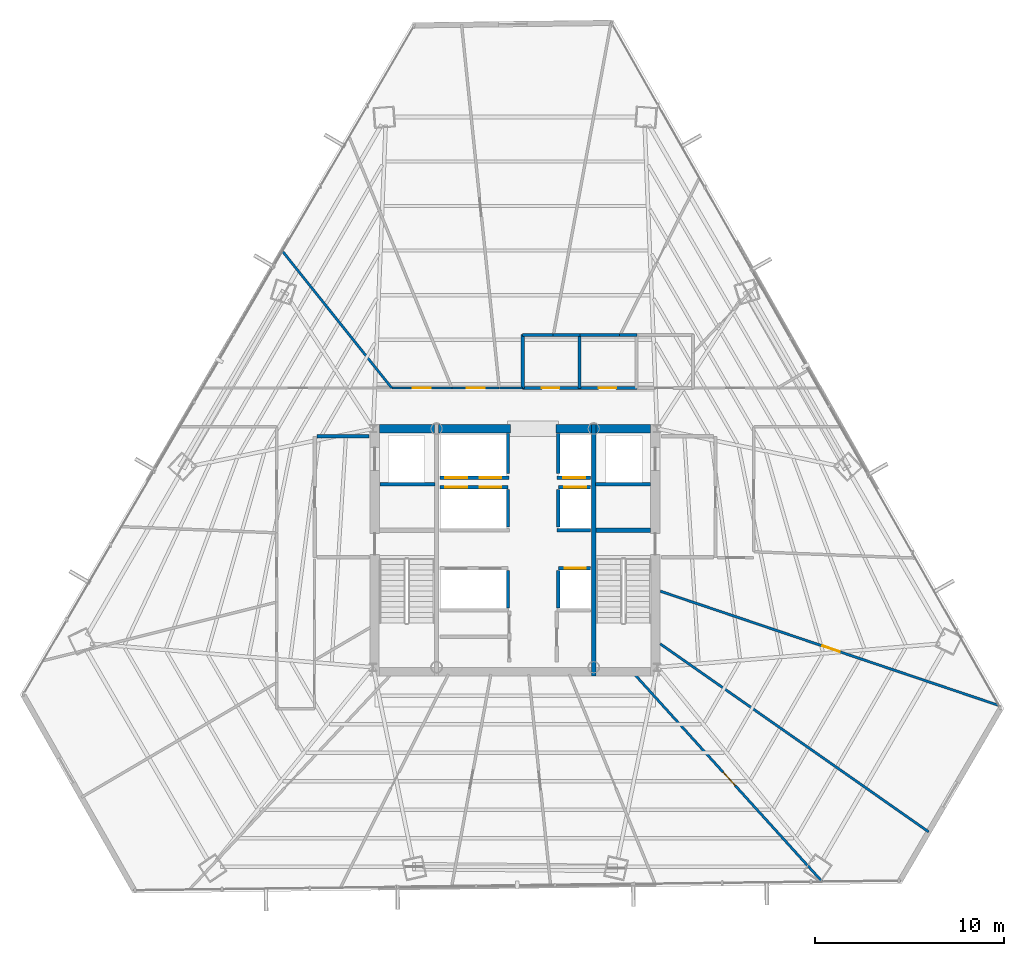
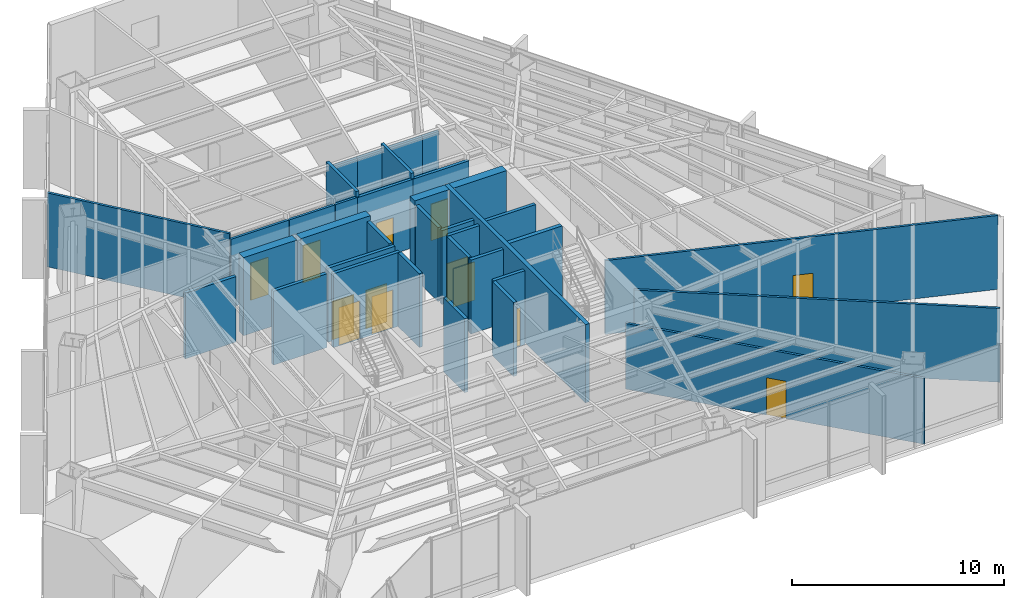
# One storey, part 32 of 37: 36 walls, 13 doors, 13 openings.
"""IFC4 building model written with IfcOpenShell, lengths in metres."""

from ifc_helpers import new_model, si_unit, direction, frame, frame_2d, origin, place, context, subcontext, project, spatial, rectangle, extrude, material, layer, layer_set, type_object, element, fill, save


model = new_model("IFC4")

# Units and contexts
model_context = context("Model", 3, precision=1e-05, world=origin(), true_north=direction((0.0, 1.0)))
body_context = subcontext(model_context, "Body", "Model", "MODEL_VIEW")
ifc_project = project(units=[si_unit("LENGTHUNIT", "METRE"), si_unit("AREAUNIT", "SQUARE_METRE"), si_unit("VOLUMEUNIT", "CUBIC_METRE"), si_unit("PLANEANGLEUNIT", "RADIAN"), si_unit("MASSUNIT", "GRAM", prefix="KILO")], contexts=[model_context])

# Site, building, storey
site_placement = place(None, origin())
site = spatial("IfcSite", under=ifc_project, at=site_placement, CompositionType="ELEMENT")
building_placement = place(site_placement, origin())
building = spatial("IfcBuilding", under=site, at=building_placement, Name="Caelisora Broadcast Tower", CompositionType="ELEMENT")
storey_placement = place(building_placement, frame((0.0, 0.0, 127.300048828125)))
storey = spatial("IfcBuildingStorey", under=building, at=storey_placement, Name="L33", CompositionType="ELEMENT", Elevation=127.300048828125)

# Walls
ifc_material_1 = material(Name="Concrete 50 MPa (AS 3600 S50)", Category="concrete")
ifc_layer_1 = layer(ifc_material_1, 0.449951171875, Name="Concrete 50 MPa (AS 3600 S50)")
ifc_layer_set_1 = layer_set([ifc_layer_1], Name="Concrete 50 MPa (AS 3600 S50)")
wall_type_1 = type_object("IfcWallType", Name="CW5", PredefinedType="SHEAR", material=ifc_layer_set_1)
wall_1_placement = place(storey_placement, frame((30.840087890625, 30.0, 0.0), z_axis=(0.0, 0.0, 1.0), x_axis=(1.0, 0.0, 0.0)))
element("IfcWall", 1, at=wall_1_placement, inside=storey, type_object=wall_type_1, Name="L33 core shear wall CW5", PredefinedType="SHEAR", context=body_context, shape_type="SweptSolid", body=[
    extrude(rectangle(XDim=2.89990234375, YDim=0.449951171875, at=frame_2d((1.449951171875, 0.0))), origin(), (0.0, 0.0, 1.0), 4.5),
])
wall_2_placement = place(storey_placement, frame((33.9599609375, 30.0, 0.0), z_axis=(0.0, 0.0, 1.0), x_axis=(1.0, 0.0, 0.0)))
element("IfcWall", 2, at=wall_2_placement, inside=storey, type_object=wall_type_1, Name="L33 core shear wall CW5", PredefinedType="SHEAR", context=body_context, shape_type="SweptSolid", body=[
    extrude(rectangle(XDim=3.780029296875, YDim=0.449951171875, at=frame_2d((1.89013671875, 0.0))), origin(), (0.0, 0.0, 1.0), 4.5),
])
wall_3_placement = place(storey_placement, frame((40.159912109375, 30.0, 0.0), z_axis=(0.0, 0.0, 1.0), x_axis=(1.0, 0.0, 0.0)))
element("IfcWall", 3, at=wall_3_placement, inside=storey, type_object=wall_type_1, Name="L33 core shear wall CW5", PredefinedType="SHEAR", context=body_context, shape_type="SweptSolid", body=[
    extrude(rectangle(XDim=1.880126953125, YDim=0.449951171875, at=frame_2d((0.93994140625, 0.0))), origin(), (0.0, 0.0, 1.0), 4.5),
])
wall_4_placement = place(storey_placement, frame((42.260009765625, 30.0, 0.0), z_axis=(0.0, 0.0, 1.0), x_axis=(1.0, 0.0, 0.0)))
element("IfcWall", 4, at=wall_4_placement, inside=storey, type_object=wall_type_1, Name="L33 core shear wall CW5", PredefinedType="SHEAR", context=body_context, shape_type="SweptSolid", body=[
    extrude(rectangle(XDim=2.89990234375, YDim=0.449951171875, at=frame_2d((1.449951171875, 0.0))), origin(), (0.0, 0.0, 1.0), 4.5),
])
ifc_layer_2 = layer(ifc_material_1, 0.219970703125, Name="Concrete 50 MPa (AS 3600 S50)")
ifc_layer_set_2 = layer_set([ifc_layer_2], Name="Concrete 50 MPa (AS 3600 S50)")
wall_type_2 = type_object("IfcWallType", Name="CW7", PredefinedType="SHEAR", material=ifc_layer_set_2)
wall_5_placement = place(storey_placement, frame((42.14990234375, 16.949951171875, 0.0), z_axis=(0.0, 0.0, 1.0), x_axis=(0.0, 1.0, 0.0)))
element("IfcWall", 5, at=wall_5_placement, inside=storey, type_object=wall_type_2, Name="L33 core shear wall CW7", PredefinedType="SHEAR", context=body_context, shape_type="SweptSolid", body=[
    extrude(rectangle(XDim=13.275146484375, YDim=0.219970703125, at=frame_2d((6.6376953125, 0.0))), origin(), (0.0, 0.0, 1.0), 4.5),
])
wall_6_placement = place(storey_placement, frame((42.260009765625, 24.639892578125, 0.0), z_axis=(0.0, 0.0, 1.0), x_axis=(1.0, 0.0, 0.0)))
element("IfcWall", 6, at=wall_6_placement, inside=storey, type_object=wall_type_2, Name="L33 core shear wall CW7", PredefinedType="SHEAR", context=body_context, shape_type="SweptSolid", body=[
    extrude(rectangle(XDim=2.89990234375, YDim=0.219970703125, at=frame_2d((1.449951171875, 0.0))), origin(), (0.0, 0.0, 1.0), 4.5),
])

# Wall, opening, door
ifc_material_2 = material(Name="Fire-Rated Gypsum Shaft and Compartment Wall", Category="gypsum")
ifc_layer_3 = layer(ifc_material_2, 0.179931640625, Name="Fire-Rated Gypsum Shaft and Compartment Wall")
ifc_layer_set_3 = layer_set([ifc_layer_3], Name="Fire-Rated Gypsum Shaft and Compartment Wall")
wall_type_3 = type_object("IfcWallType", Name="PW2", PredefinedType="PARTITIONING", material=ifc_layer_set_3)
wall_7_placement = place(storey_placement, frame((40.280029296875, 22.6201171875, 0.0), z_axis=(0.0, 0.0, 1.0), x_axis=(1.0, 0.0, 0.0)))
wall_7 = element("IfcWall", 7, at=wall_7_placement, inside=storey, type_object=wall_type_3, Name="L33 fire compartment wall PW2", PredefinedType="PARTITIONING", context=body_context, shape_type="SweptSolid", body=[
    extrude(rectangle(XDim=1.699951171875, YDim=0.179931640625, at=frame_2d((0.85009765625, 0.0))), origin(), (0.0, 0.0, 1.0), 4.25),
])
opening_1_placement = place(wall_7_placement, frame((0.35009765625, 0.0, 0.0)))
opening_1 = element("IfcOpeningElement", 8, at=opening_1_placement, cuts=wall_7, Name="Opening LD01", PredefinedType="OPENING", context=body_context, shape_type="SweptSolid", body=[
    extrude(rectangle(XDim=1.10009765625, YDim=2.199951171875, at=frame_2d((0.550048828125, 1.10009765625))), frame((0.0, 0.10205078125, 0.0), z_axis=(0.0, -1.0, 0.0), x_axis=(1.0, 0.0, 0.0)), (0.0, 0.0, 1.0), 0.203857421875),
])
ifc_material_3 = material(Name="Stainless Steel Centre-Parting Lift Landing Door", Category="steel")
door_type_1 = type_object("IfcDoorType", Name="LD01", OperationType="NOTDEFINED", PredefinedType="DOOR", material=ifc_material_3)
door_1_placement = place(opening_1_placement, origin())
door_1 = element("IfcDoor", 9, at=door_1_placement, inside=storey, type_object=door_type_1, Name="L33 door LD01 (L33-LD-PLL3)", OperationType="SLIDING_TO_LEFT", OverallHeight=2.199951171875, OverallWidth=1.10009765625, PredefinedType="DOOR", context=body_context, shape_type="SweptSolid", body=[
    extrude(rectangle(XDim=1.10009765625, YDim=2.199951171875, at=frame_2d((0.550048828125, 1.10009765625))), frame((0.0, 0.02490234375, 0.0), z_axis=(0.0, -1.0, 0.0), x_axis=(1.0, 0.0, 0.0)), (0.0, 0.0, 1.0), 0.050048828125),
])
fill(opening_1, door_1)

# Walls
for number, where, z_axis, x_axis, name in (
    (10, (37.6201171875, 20.52001953125, 0.0), (0.0, 0.0, 1.0), (0.0, 1.0, 0.0), "L33 fire compartment wall PW2"),
    (11, (40.280029296875, 20.52001953125, 0.0), (0.0, 0.0, 1.0), (0.0, 1.0, 0.0), "L33 fire compartment wall PW2"),
):
    element("IfcWall", number, at=place(storey_placement, frame(where, z_axis=z_axis, x_axis=x_axis)), inside=storey, type_object=wall_type_3, Name=name, PredefinedType="PARTITIONING", context=body_context, shape_type="SweptSolid", body=[
        extrude(rectangle(XDim=2.0, YDim=0.179931640625, at=frame_2d((1.0, 0.0))), origin(), (0.0, 0.0, 1.0), 4.25),
    ])

# Wall, openings, doors
wall_8_placement = place(storey_placement, frame((34.02001953125, 26.89990234375, 0.0), z_axis=(0.0, 0.0, 1.0), x_axis=(1.0, 0.0, 0.0)))
wall_8 = element("IfcWall", 12, at=wall_8_placement, inside=storey, type_object=wall_type_3, Name="L33 fire compartment wall PW2", PredefinedType="PARTITIONING", context=body_context, shape_type="SweptSolid", body=[
    extrude(rectangle(XDim=3.60009765625, YDim=0.179931640625, at=frame_2d((1.800048828125, 0.0))), origin(), (0.0, 0.0, 1.0), 4.25),
])
opening_2_placement = place(wall_8_placement, frame((0.300048828125, 0.0, 0.0)))
opening_2 = element("IfcOpeningElement", 13, at=opening_2_placement, cuts=wall_8, Name="Opening LD02", PredefinedType="OPENING", context=body_context, shape_type="SweptSolid", body=[
    extrude(rectangle(XDim=1.14990234375, YDim=2.199951171875, at=frame_2d((0.574951171875, 1.10009765625))), frame((0.0, 0.10205078125, 0.0), z_axis=(0.0, -1.0, 0.0), x_axis=(1.0, 0.0, 0.0)), (0.0, 0.0, 1.0), 0.203857421875),
])
opening_3_placement = place(wall_8_placement, frame((2.10009765625, 0.0, 0.0)))
opening_3 = element("IfcOpeningElement", 14, at=opening_3_placement, cuts=wall_8, Name="Opening LD02", PredefinedType="OPENING", context=body_context, shape_type="SweptSolid", body=[
    extrude(rectangle(XDim=1.14990234375, YDim=2.199951171875, at=frame_2d((0.574951171875, 1.10009765625))), frame((0.0, 0.10205078125, 0.0), z_axis=(0.0, -1.0, 0.0), x_axis=(1.0, 0.0, 0.0)), (0.0, 0.0, 1.0), 0.203857421875),
])
ifc_material_4 = material(Name="High-Speed Express Lift Sliding Landing Door", Category="steel")
door_type_2 = type_object("IfcDoorType", Name="LD02", OperationType="NOTDEFINED", PredefinedType="DOOR", material=ifc_material_4)
door_2_placement = place(opening_2_placement, origin())
door_2 = element("IfcDoor", 15, at=door_2_placement, inside=storey, type_object=door_type_2, Name="L33 door LD02 (L33-LD-PLM1)", OperationType="SLIDING_TO_LEFT", OverallHeight=2.199951171875, OverallWidth=1.14990234375, PredefinedType="DOOR", context=body_context, shape_type="SweptSolid", body=[
    extrude(rectangle(XDim=1.14990234375, YDim=2.199951171875, at=frame_2d((0.574951171875, 1.10009765625))), frame((0.0, 0.02490234375, 0.0), z_axis=(0.0, -1.0, 0.0), x_axis=(1.0, 0.0, 0.0)), (0.0, 0.0, 1.0), 0.050048828125),
])
fill(opening_2, door_2)
door_3_placement = place(opening_3_placement, origin())
door_3 = element("IfcDoor", 16, at=door_3_placement, inside=storey, type_object=door_type_2, Name="L33 door LD02 (L33-LD-PLM2)", OperationType="SLIDING_TO_RIGHT", OverallHeight=2.199951171875, OverallWidth=1.14990234375, PredefinedType="DOOR", context=body_context, shape_type="SweptSolid", body=[
    extrude(rectangle(XDim=1.14990234375, YDim=2.199951171875, at=frame_2d((0.574951171875, 1.10009765625))), frame((0.0, 0.02490234375, 0.0), z_axis=(0.0, -1.0, 0.0), x_axis=(1.0, 0.0, 0.0)), (0.0, 0.0, 1.0), 0.050048828125),
])
fill(opening_3, door_3)

# Wall, opening, door
wall_9_placement = place(storey_placement, frame((40.280029296875, 26.89990234375, 0.0), z_axis=(0.0, 0.0, 1.0), x_axis=(1.0, 0.0, 0.0)))
wall_9 = element("IfcWall", 17, at=wall_9_placement, inside=storey, type_object=wall_type_3, Name="L33 fire compartment wall PW2", PredefinedType="PARTITIONING", context=body_context, shape_type="SweptSolid", body=[
    extrude(rectangle(XDim=1.699951171875, YDim=0.179931640625, at=frame_2d((0.85009765625, 0.0))), origin(), (0.0, 0.0, 1.0), 4.25),
])
opening_4_placement = place(wall_9_placement, frame((0.320068359375, 0.0, 0.0)))
opening_4 = element("IfcOpeningElement", 18, at=opening_4_placement, cuts=wall_9, Name="Opening LD02", PredefinedType="OPENING", context=body_context, shape_type="SweptSolid", body=[
    extrude(rectangle(XDim=1.14990234375, YDim=2.199951171875, at=frame_2d((0.574951171875, 1.10009765625))), frame((0.0, 0.10205078125, 0.0), z_axis=(0.0, -1.0, 0.0), x_axis=(1.0, 0.0, 0.0)), (0.0, 0.0, 1.0), 0.203857421875),
])
door_4_placement = place(opening_4_placement, origin())
door_4 = element("IfcDoor", 19, at=door_4_placement, inside=storey, type_object=door_type_2, Name="L33 door LD02 (L33-LD-PLM3)", OperationType="SLIDING_TO_LEFT", OverallHeight=2.199951171875, OverallWidth=1.14990234375, PredefinedType="DOOR", context=body_context, shape_type="SweptSolid", body=[
    extrude(rectangle(XDim=1.14990234375, YDim=2.199951171875, at=frame_2d((0.574951171875, 1.10009765625))), frame((0.0, 0.02490234375, 0.0), z_axis=(0.0, -1.0, 0.0), x_axis=(1.0, 0.0, 0.0)), (0.0, 0.0, 1.0), 0.050048828125),
])
fill(opening_4, door_4)

# Walls
for number, where, z_axis, x_axis, name in (
    (20, (37.6201171875, 24.800048828125, 0.0), (0.0, 0.0, 1.0), (0.0, 1.0, 0.0), "L33 fire compartment wall PW2"),
    (21, (40.280029296875, 24.800048828125, 0.0), (0.0, 0.0, 1.0), (0.0, 1.0, 0.0), "L33 fire compartment wall PW2"),
):
    element("IfcWall", number, at=place(storey_placement, frame(where, z_axis=z_axis, x_axis=x_axis)), inside=storey, type_object=wall_type_3, Name=name, PredefinedType="PARTITIONING", context=body_context, shape_type="SweptSolid", body=[
        extrude(rectangle(XDim=2.0, YDim=0.179931640625, at=frame_2d((1.0, 0.0))), origin(), (0.0, 0.0, 1.0), 4.25),
    ])
wall_10_placement = place(storey_placement, frame((40.199951171875, 24.639892578125, 0.0), z_axis=(0.0, 0.0, 1.0), x_axis=(1.0, 0.0, 0.0)))
element("IfcWall", 22, at=wall_10_placement, inside=storey, type_object=wall_type_3, Name="L33 fire compartment wall PW2", PredefinedType="PARTITIONING", context=body_context, shape_type="SweptSolid", body=[
    extrude(rectangle(XDim=1.780029296875, YDim=0.179931640625, at=frame_2d((0.89013671875, 0.0))), origin(), (0.0, 0.0, 1.0), 4.25),
])

# Wall, openings, doors
wall_11_placement = place(storey_placement, frame((34.02001953125, 27.419921875, 0.0), z_axis=(0.0, 0.0, 1.0), x_axis=(1.0, 0.0, 0.0)))
wall_11 = element("IfcWall", 23, at=wall_11_placement, inside=storey, type_object=wall_type_3, Name="L33 fire compartment wall PW2", PredefinedType="PARTITIONING", context=body_context, shape_type="SweptSolid", body=[
    extrude(rectangle(XDim=3.659912109375, YDim=0.179931640625, at=frame_2d((1.830078125, 0.0))), origin(), (0.0, 0.0, 1.0), 4.25),
])
opening_5_placement = place(wall_11_placement, frame((0.300048828125, 0.0, 0.0)))
opening_5 = element("IfcOpeningElement", 24, at=opening_5_placement, cuts=wall_11, Name="Opening LD02", PredefinedType="OPENING", context=body_context, shape_type="SweptSolid", body=[
    extrude(rectangle(XDim=1.14990234375, YDim=2.199951171875, at=frame_2d((0.574951171875, 1.10009765625))), frame((0.0, 0.10205078125, 0.0), z_axis=(0.0, -1.0, 0.0), x_axis=(1.0, 0.0, 0.0)), (0.0, 0.0, 1.0), 0.203857421875),
])
opening_6_placement = place(wall_11_placement, frame((2.10009765625, 0.0, 0.0)))
opening_6 = element("IfcOpeningElement", 25, at=opening_6_placement, cuts=wall_11, Name="Opening LD02", PredefinedType="OPENING", context=body_context, shape_type="SweptSolid", body=[
    extrude(rectangle(XDim=1.14990234375, YDim=2.199951171875, at=frame_2d((0.574951171875, 1.10009765625))), frame((0.0, 0.10205078125, 0.0), z_axis=(0.0, -1.0, 0.0), x_axis=(1.0, 0.0, 0.0)), (0.0, 0.0, 1.0), 0.203857421875),
])
door_5_placement = place(opening_5_placement, origin())
door_5 = element("IfcDoor", 26, at=door_5_placement, inside=storey, type_object=door_type_2, Name="L33 door LD02 (L33-LD-PLH1)", OperationType="SLIDING_TO_RIGHT", OverallHeight=2.199951171875, OverallWidth=1.14990234375, PredefinedType="DOOR", context=body_context, shape_type="SweptSolid", body=[
    extrude(rectangle(XDim=1.14990234375, YDim=2.199951171875, at=frame_2d((0.574951171875, 1.10009765625))), frame((0.0, 0.02490234375, 0.0), z_axis=(0.0, -1.0, 0.0), x_axis=(1.0, 0.0, 0.0)), (0.0, 0.0, 1.0), 0.050048828125),
])
fill(opening_5, door_5)
door_6_placement = place(opening_6_placement, origin())
door_6 = element("IfcDoor", 27, at=door_6_placement, inside=storey, type_object=door_type_2, Name="L33 door LD02 (L33-LD-PLH2)", OperationType="SLIDING_TO_LEFT", OverallHeight=2.199951171875, OverallWidth=1.14990234375, PredefinedType="DOOR", context=body_context, shape_type="SweptSolid", body=[
    extrude(rectangle(XDim=1.14990234375, YDim=2.199951171875, at=frame_2d((0.574951171875, 1.10009765625))), frame((0.0, 0.02490234375, 0.0), z_axis=(0.0, -1.0, 0.0), x_axis=(1.0, 0.0, 0.0)), (0.0, 0.0, 1.0), 0.050048828125),
])
fill(opening_6, door_6)

# Wall, opening, door
wall_12_placement = place(storey_placement, frame((40.219970703125, 27.419921875, 0.0), z_axis=(0.0, 0.0, 1.0), x_axis=(1.0, 0.0, 0.0)))
wall_12 = element("IfcWall", 28, at=wall_12_placement, inside=storey, type_object=wall_type_3, Name="L33 fire compartment wall PW2", PredefinedType="PARTITIONING", context=body_context, shape_type="SweptSolid", body=[
    extrude(rectangle(XDim=1.760009765625, YDim=0.179931640625, at=frame_2d((0.8798828125, 0.0))), origin(), (0.0, 0.0, 1.0), 4.25),
])
opening_7_placement = place(wall_12_placement, frame((0.320068359375, 0.0, 0.0)))
opening_7 = element("IfcOpeningElement", 29, at=opening_7_placement, cuts=wall_12, Name="Opening LD02", PredefinedType="OPENING", context=body_context, shape_type="SweptSolid", body=[
    extrude(rectangle(XDim=1.14990234375, YDim=2.199951171875, at=frame_2d((0.574951171875, 1.10009765625))), frame((0.0, 0.10205078125, 0.0), z_axis=(0.0, -1.0, 0.0), x_axis=(1.0, 0.0, 0.0)), (0.0, 0.0, 1.0), 0.203857421875),
])
door_7_placement = place(opening_7_placement, origin())
door_7 = element("IfcDoor", 30, at=door_7_placement, inside=storey, type_object=door_type_2, Name="L33 door LD02 (L33-LD-PLH3)", OperationType="SLIDING_TO_RIGHT", OverallHeight=2.199951171875, OverallWidth=1.14990234375, PredefinedType="DOOR", context=body_context, shape_type="SweptSolid", body=[
    extrude(rectangle(XDim=1.14990234375, YDim=2.199951171875, at=frame_2d((0.574951171875, 1.10009765625))), frame((0.0, 0.02490234375, 0.0), z_axis=(0.0, -1.0, 0.0), x_axis=(1.0, 0.0, 0.0)), (0.0, 0.0, 1.0), 0.050048828125),
])
fill(opening_7, door_7)

# Walls
for number, where, z_axis, x_axis, name in (
    (31, (37.6201171875, 27.639892578125, 0.0), (0.0, 0.0, 1.0), (0.0, 1.0, 0.0), "L33 fire compartment wall PW2"),
    (32, (40.280029296875, 27.639892578125, 0.0), (0.0, 0.0, 1.0), (0.0, 1.0, 0.0), "L33 fire compartment wall PW2"),
):
    element("IfcWall", number, at=place(storey_placement, frame(where, z_axis=z_axis, x_axis=x_axis)), inside=storey, type_object=wall_type_3, Name=name, PredefinedType="PARTITIONING", context=body_context, shape_type="SweptSolid", body=[
        extrude(rectangle(XDim=2.110107421875, YDim=0.179931640625, at=frame_2d((1.05517578125, 0.0))), origin(), (0.0, 0.0, 1.0), 4.25),
    ])
wall_13_placement = place(storey_placement, frame((27.52001953125, 29.60009765625, 0.0), z_axis=(0.0, 0.0, 1.0), x_axis=(1.0, 0.0, 0.0)))
element("IfcWall", 33, at=wall_13_placement, inside=storey, type_object=wall_type_3, Name="L33 fire compartment wall PW2", PredefinedType="PARTITIONING", context=body_context, shape_type="SweptSolid", body=[
    extrude(rectangle(XDim=2.760009765625, YDim=0.179931640625, at=frame_2d((1.3798828125, 0.0))), origin(), (0.0, 0.0, 1.0), 3.774658203125),
])
for number, where, z_axis, x_axis, name in (
    (34, (30.860107421875, 27.070068359375, 0.0), (0.0, 0.0, 1.0), (1.0, 0.0, 0.0), "L33 fire compartment wall PW2"),
    (35, (42.239990234375, 27.070068359375, 0.0), (0.0, 0.0, 1.0), (1.0, 0.0, 0.0), "L33 fire compartment wall PW2"),
):
    element("IfcWall", number, at=place(storey_placement, frame(where, z_axis=z_axis, x_axis=x_axis)), inside=storey, type_object=wall_type_3, Name=name, PredefinedType="PARTITIONING", context=body_context, shape_type="SweptSolid", body=[
        extrude(rectangle(XDim=2.89990234375, YDim=0.179931640625, at=frame_2d((1.449951171875, 0.0))), origin(), (0.0, 0.0, 1.0), 4.25),
    ])

# Wall, opening, door
ifc_material_5 = material(Name="Acoustic Steel-Stud Plasterboard Partition", Category="gypsum")
ifc_layer_4 = layer(ifc_material_5, 0.1298828125, Name="Acoustic Steel-Stud Plasterboard Partition")
ifc_layer_set_4 = layer_set([ifc_layer_4], Name="Acoustic Steel-Stud Plasterboard Partition")
wall_type_4 = type_object("IfcWallType", Name="PW3", PredefinedType="PARTITIONING", material=ifc_layer_set_4)
wall_14_placement = place(storey_placement, frame((45.6708984375, 21.416015625, 0.0), z_axis=(0.0, 0.0, 1.0), x_axis=(0.947472988425, -0.319835795691, 0.0)))
wall_14 = element("IfcWall", 36, at=wall_14_placement, inside=storey, type_object=wall_type_4, Name="L33 internal partition PW3", PredefinedType="PARTITIONING", context=body_context, shape_type="SweptSolid", body=[
    extrude(rectangle(XDim=18.88720703125, YDim=0.1298828125, at=frame_2d((9.443603515625, 0.0))), origin(), (0.0, 0.0, 1.0), 4.25),
])
opening_8_placement = place(wall_14_placement, frame((9.033935546875, 0.0, 0.0)))
opening_8 = element("IfcOpeningElement", 37, at=opening_8_placement, cuts=wall_14, Name="Opening D01", PredefinedType="OPENING", context=body_context, shape_type="SweptSolid", body=[
    extrude(rectangle(XDim=0.9599609375, YDim=2.14990234375, at=frame_2d((0.47998046875, 1.074951171875))), frame((0.0, 0.076904296875, 0.0), z_axis=(0.0, -1.0, 0.0), x_axis=(1.0, 0.0, 0.0)), (0.0, 0.0, 1.0), 0.15380859375),
])
ifc_material_6 = material(Name="Solid-Core Timber Acoustic Office Door", Category="wood")
door_type_3 = type_object("IfcDoorType", Name="D01", OperationType="NOTDEFINED", PredefinedType="DOOR", material=ifc_material_6)
door_8_placement = place(opening_8_placement, origin())
door_8 = element("IfcDoor", 38, at=door_8_placement, inside=storey, type_object=door_type_3, Name="L33 door D01 (L33-DR-P28D1)", OperationType="SINGLE_SWING_RIGHT", OverallHeight=2.14990234375, OverallWidth=0.9599609375, PredefinedType="DOOR", context=body_context, shape_type="SweptSolid", body=[
    extrude(rectangle(XDim=0.9599609375, YDim=2.14990234375, at=frame_2d((0.47998046875, 1.074951171875))), frame((0.0, 0.02490234375, 0.0), z_axis=(0.0, -1.0, 0.0), x_axis=(1.0, 0.0, 0.0)), (0.0, 0.0, 1.0), 0.050048828125),
])
fill(opening_8, door_8)

# Wall
wall_15_placement = place(storey_placement, frame((45.660888671875, 18.636962890625, 0.0), z_axis=(0.0, 0.0, 1.0), x_axis=(0.819078192958, -0.573681892533, 0.0)))
element("IfcWall", 39, at=wall_15_placement, inside=storey, type_object=wall_type_4, Name="L33 internal partition PW3", PredefinedType="PARTITIONING", context=body_context, shape_type="SweptSolid", body=[
    extrude(rectangle(XDim=17.31298828125, YDim=0.1298828125, at=frame_2d((8.656494140625, 0.0))), origin(), (0.0, 0.0, 1.0), 4.25),
])

# Wall, opening, door
wall_16_placement = place(storey_placement, frame((44.2900390625, 17.0439453125, 0.0), z_axis=(0.0, 0.0, 1.0), x_axis=(0.670937503188, -0.74151390197, 0.0)))
wall_16 = element("IfcWall", 40, at=wall_16_placement, inside=storey, type_object=wall_type_4, Name="L33 internal partition PW3", PredefinedType="PARTITIONING", context=body_context, shape_type="SweptSolid", body=[
    extrude(rectangle(XDim=14.8056640625, YDim=0.1298828125, at=frame_2d((7.40283203125, 0.0))), origin(), (0.0, 0.0, 1.0), 3.774658203125),
])
opening_9_placement = place(wall_16_placement, frame((6.987060546875, 0.0, 0.0)))
opening_9 = element("IfcOpeningElement", 41, at=opening_9_placement, cuts=wall_16, Name="Opening D01", PredefinedType="OPENING", context=body_context, shape_type="SweptSolid", body=[
    extrude(rectangle(XDim=0.9599609375, YDim=2.14990234375, at=frame_2d((0.47998046875, 1.074951171875))), frame((0.0, 0.076904296875, 0.0), z_axis=(0.0, -1.0, 0.0), x_axis=(1.0, 0.0, 0.0)), (0.0, 0.0, 1.0), 0.15380859375),
])
door_9_placement = place(opening_9_placement, origin())
door_9 = element("IfcDoor", 42, at=door_9_placement, inside=storey, type_object=door_type_3, Name="L33 door D01 (L33-DR-P32D1)", OperationType="SINGLE_SWING_RIGHT", OverallHeight=2.14990234375, OverallWidth=0.9599609375, PredefinedType="DOOR", context=body_context, shape_type="SweptSolid", body=[
    extrude(rectangle(XDim=0.9599609375, YDim=2.14990234375, at=frame_2d((0.47998046875, 1.074951171875))), frame((0.0, 0.02490234375, 0.0), z_axis=(0.0, -1.0, 0.0), x_axis=(1.0, 0.0, 0.0)), (0.0, 0.0, 1.0), 0.050048828125),
])
fill(opening_9, door_9)

# Wall
wall_17_placement = place(storey_placement, frame((25.70556640625, 39.3779296875, 0.0), z_axis=(0.0, 0.0, 1.0), x_axis=(0.624192596661, -0.781270505186, 0.0)))
element("IfcWall", 43, at=wall_17_placement, inside=storey, type_object=wall_type_4, Name="L33 internal partition PW3", PredefinedType="PARTITIONING", context=body_context, shape_type="SweptSolid", body=[
    extrude(rectangle(XDim=9.246337890625, YDim=0.1298828125, at=frame_2d((4.623046875, 0.0))), origin(), (0.0, 0.0, 1.0), 4.25),
])

# Wall, opening, door
wall_18_placement = place(storey_placement, frame((31.485107421875, 32.14990234375, 0.0), z_axis=(0.0, 0.0, 1.0), x_axis=(1.0, 0.0, 0.0)))
wall_18 = element("IfcWall", 44, at=wall_18_placement, inside=storey, type_object=wall_type_4, Name="L33 internal partition PW3", PredefinedType="PARTITIONING", context=body_context, shape_type="SweptSolid", body=[
    extrude(rectangle(XDim=3.169921875, YDim=0.1298828125, at=frame_2d((1.5849609375, 0.0))), origin(), (0.0, 0.0, 1.0), 3.927734375),
])
opening_10_placement = place(wall_18_placement, frame((1.10498046875, 0.0, 0.0)))
opening_10 = element("IfcOpeningElement", 45, at=opening_10_placement, cuts=wall_18, Name="Opening D01", PredefinedType="OPENING", context=body_context, shape_type="SweptSolid", body=[
    extrude(rectangle(XDim=0.9599609375, YDim=2.14990234375, at=frame_2d((0.47998046875, 1.074951171875))), frame((0.0, 0.076904296875, 0.0), z_axis=(0.0, -1.0, 0.0), x_axis=(1.0, 0.0, 0.0)), (0.0, 0.0, 1.0), 0.15380859375),
])
door_10_placement = place(opening_10_placement, origin())
door_10 = element("IfcDoor", 46, at=door_10_placement, inside=storey, type_object=door_type_3, Name="L33 door D01 (L33-DR-P57D1)", OperationType="SINGLE_SWING_RIGHT", OverallHeight=2.14990234375, OverallWidth=0.9599609375, PredefinedType="DOOR", context=body_context, shape_type="SweptSolid", body=[
    extrude(rectangle(XDim=0.9599609375, YDim=2.14990234375, at=frame_2d((0.47998046875, 1.074951171875))), frame((0.0, 0.02490234375, 0.0), z_axis=(0.0, -1.0, 0.0), x_axis=(1.0, 0.0, 0.0)), (0.0, 0.0, 1.0), 0.050048828125),
])
fill(opening_10, door_10)

wall_19_placement = place(storey_placement, frame((34.6650390625, 32.14990234375, 0.0), z_axis=(0.0, 0.0, 1.0), x_axis=(1.0, 0.0, 0.0)))
wall_19 = element("IfcWall", 47, at=wall_19_placement, inside=storey, type_object=wall_type_4, Name="L33 internal partition PW3", PredefinedType="PARTITIONING", context=body_context, shape_type="SweptSolid", body=[
    extrude(rectangle(XDim=2.489990234375, YDim=0.1298828125, at=frame_2d((1.2451171875, 0.0))), origin(), (0.0, 0.0, 1.0), 3.927734375),
])
opening_11_placement = place(wall_19_placement, frame((0.764892578125, 0.0, 0.0)))
opening_11 = element("IfcOpeningElement", 48, at=opening_11_placement, cuts=wall_19, Name="Opening D01", PredefinedType="OPENING", context=body_context, shape_type="SweptSolid", body=[
    extrude(rectangle(XDim=0.9599609375, YDim=2.14990234375, at=frame_2d((0.47998046875, 1.074951171875))), frame((0.0, 0.076904296875, 0.0), z_axis=(0.0, -1.0, 0.0), x_axis=(1.0, 0.0, 0.0)), (0.0, 0.0, 1.0), 0.15380859375),
])
door_11_placement = place(opening_11_placement, origin())
door_11 = element("IfcDoor", 49, at=door_11_placement, inside=storey, type_object=door_type_3, Name="L33 door D01 (L33-DR-P59D1)", OperationType="SINGLE_SWING_RIGHT", OverallHeight=2.14990234375, OverallWidth=0.9599609375, PredefinedType="DOOR", context=body_context, shape_type="SweptSolid", body=[
    extrude(rectangle(XDim=0.9599609375, YDim=2.14990234375, at=frame_2d((0.47998046875, 1.074951171875))), frame((0.0, 0.02490234375, 0.0), z_axis=(0.0, -1.0, 0.0), x_axis=(1.0, 0.0, 0.0)), (0.0, 0.0, 1.0), 0.050048828125),
])
fill(opening_11, door_11)

# Wall
wall_20_placement = place(storey_placement, frame((37.1650390625, 32.14990234375, 0.0), z_axis=(0.0, 0.0, 1.0), x_axis=(1.0, 0.0, 0.0)))
element("IfcWall", 50, at=wall_20_placement, inside=storey, type_object=wall_type_4, Name="L33 internal partition PW3", PredefinedType="PARTITIONING", context=body_context, shape_type="SweptSolid", body=[
    extrude(rectangle(XDim=1.22998046875, YDim=0.1298828125, at=frame_2d((0.614990234375, 0.0))), origin(), (0.0, 0.0, 1.0), 3.927734375),
])

# Wall, opening, door
ifc_material_7 = material(Name="Moisture-Resistant Wet Plumbing Service Wall", Category="gypsum")
ifc_layer_5 = layer(ifc_material_7, 0.159912109375, Name="Moisture-Resistant Wet Plumbing Service Wall")
ifc_layer_set_5 = layer_set([ifc_layer_5], Name="Moisture-Resistant Wet Plumbing Service Wall")
wall_type_5 = type_object("IfcWallType", Name="PW4", PredefinedType="PLUMBINGWALL", material=ifc_layer_set_5)
wall_21_placement = place(storey_placement, frame((38.375, 32.14990234375, 0.0), z_axis=(0.0, 0.0, 1.0), x_axis=(1.0, 0.0, 0.0)))
wall_21 = element("IfcWall", 51, at=wall_21_placement, inside=storey, type_object=wall_type_5, Name="L33 wet plumbing wall PW4", PredefinedType="PLUMBINGWALL", context=body_context, shape_type="SweptSolid", body=[
    extrude(rectangle(XDim=3.050048828125, YDim=0.159912109375, at=frame_2d((1.52490234375, 0.0))), origin(), (0.0, 0.0, 1.0), 3.927734375),
])
opening_12_placement = place(wall_21_placement, frame((1.034912109375, 0.0, 0.0)))
opening_12 = element("IfcOpeningElement", 52, at=opening_12_placement, cuts=wall_21, Name="Opening D03", PredefinedType="OPENING", context=body_context, shape_type="SweptSolid", body=[
    extrude(rectangle(XDim=0.919921875, YDim=2.10009765625, at=frame_2d((0.4599609375, 1.050048828125))), frame((0.0, 0.092041015625, 0.0), z_axis=(0.0, -1.0, 0.0), x_axis=(1.0, 0.0, 0.0)), (0.0, 0.0, 1.0), 0.183837890625),
])
ifc_material_8 = material(Name="Laminate Moisture-Resistant Amenity WC Door", Category="wood")
door_type_4 = type_object("IfcDoorType", Name="D03", OperationType="NOTDEFINED", PredefinedType="DOOR", material=ifc_material_8)
door_12_placement = place(opening_12_placement, origin())
door_12 = element("IfcDoor", 53, at=door_12_placement, inside=storey, type_object=door_type_4, Name="L33 door D03 (L33-DR-P14D1)", OperationType="SINGLE_SWING_RIGHT", OverallHeight=2.10009765625, OverallWidth=0.919921875, PredefinedType="DOOR", context=body_context, shape_type="SweptSolid", body=[
    extrude(rectangle(XDim=0.919921875, YDim=2.10009765625, at=frame_2d((0.4599609375, 1.050048828125))), frame((0.0, 0.02490234375, 0.0), z_axis=(0.0, -1.0, 0.0), x_axis=(1.0, 0.0, 0.0)), (0.0, 0.0, 1.0), 0.050048828125),
])
fill(opening_12, door_12)

wall_22_placement = place(storey_placement, frame((41.375, 32.14990234375, 0.0), z_axis=(0.0, 0.0, 1.0), x_axis=(1.0, 0.0, 0.0)))
wall_22 = element("IfcWall", 54, at=wall_22_placement, inside=storey, type_object=wall_type_5, Name="L33 wet plumbing wall PW4", PredefinedType="PLUMBINGWALL", context=body_context, shape_type="SweptSolid", body=[
    extrude(rectangle(XDim=3.050048828125, YDim=0.159912109375, at=frame_2d((1.52490234375, 0.0))), origin(), (0.0, 0.0, 1.0), 3.927734375),
])
opening_13_placement = place(wall_22_placement, frame((1.034912109375, 0.0, 0.0)))
opening_13 = element("IfcOpeningElement", 55, at=opening_13_placement, cuts=wall_22, Name="Opening D03", PredefinedType="OPENING", context=body_context, shape_type="SweptSolid", body=[
    extrude(rectangle(XDim=0.919921875, YDim=2.10009765625, at=frame_2d((0.4599609375, 1.050048828125))), frame((0.0, 0.092041015625, 0.0), z_axis=(0.0, -1.0, 0.0), x_axis=(1.0, 0.0, 0.0)), (0.0, 0.0, 1.0), 0.183837890625),
])
door_13_placement = place(opening_13_placement, origin())
door_13 = element("IfcDoor", 56, at=door_13_placement, inside=storey, type_object=door_type_4, Name="L33 door D03 (L33-DR-P15D1)", OperationType="SINGLE_SWING_LEFT", OverallHeight=2.10009765625, OverallWidth=0.919921875, PredefinedType="DOOR", context=body_context, shape_type="SweptSolid", body=[
    extrude(rectangle(XDim=0.919921875, YDim=2.10009765625, at=frame_2d((0.4599609375, 1.050048828125))), frame((0.0, 0.02490234375, 0.0), z_axis=(0.0, -1.0, 0.0), x_axis=(1.0, 0.0, 0.0)), (0.0, 0.0, 1.0), 0.050048828125),
])
fill(opening_13, door_13)

# Walls
for number, where, z_axis, x_axis, name in (
    (57, (41.39990234375, 32.125, 0.0), (0.0, 0.0, 1.0), (0.0, 1.0, 0.0), "L33 wet plumbing wall PW4"),
    (58, (38.39990234375, 32.125, 0.0), (0.0, 0.0, 1.0), (0.0, 1.0, 0.0), "L33 wet plumbing wall PW4"),
):
    element("IfcWall", number, at=place(storey_placement, frame(where, z_axis=z_axis, x_axis=x_axis)), inside=storey, type_object=wall_type_5, Name=name, PredefinedType="PLUMBINGWALL", context=body_context, shape_type="SweptSolid", body=[
        extrude(rectangle(XDim=2.85009765625, YDim=0.159912109375, at=frame_2d((1.425048828125, 0.0))), origin(), (0.0, 0.0, 1.0), 4.25),
    ])
wall_23_placement = place(storey_placement, frame((41.375, 34.949951171875, 0.0), z_axis=(0.0, 0.0, 1.0), x_axis=(1.0, 0.0, 0.0)))
element("IfcWall", 59, at=wall_23_placement, inside=storey, type_object=wall_type_5, Name="L33 wet plumbing wall PW4", PredefinedType="PLUMBINGWALL", context=body_context, shape_type="SweptSolid", body=[
    extrude(rectangle(XDim=2.18994140625, YDim=0.159912109375, at=frame_2d((1.094970703125, 0.0))), origin(), (0.0, 0.0, 1.0), 3.927734375),
])
wall_24_placement = place(storey_placement, frame((38.375, 34.949951171875, 0.0), z_axis=(0.0, 0.0, 1.0), x_axis=(1.0, 0.0, 0.0)))
element("IfcWall", 60, at=wall_24_placement, inside=storey, type_object=wall_type_5, Name="L33 wet plumbing wall PW4", PredefinedType="PLUMBINGWALL", context=body_context, shape_type="SweptSolid", body=[
    extrude(rectangle(XDim=1.669921875, YDim=0.159912109375, at=frame_2d((0.8349609375, 0.0))), origin(), (0.0, 0.0, 1.0), 3.927734375),
])
wall_25_placement = place(storey_placement, frame((39.9951171875, 34.949951171875, 0.0), z_axis=(0.0, 0.0, 1.0), x_axis=(1.0, 0.0, 0.0)))
element("IfcWall", 61, at=wall_25_placement, inside=storey, type_object=wall_type_5, Name="L33 wet plumbing wall PW4", PredefinedType="PLUMBINGWALL", context=body_context, shape_type="SweptSolid", body=[
    extrude(rectangle(XDim=1.429931640625, YDim=0.159912109375, at=frame_2d((0.71484375, 0.0))), origin(), (0.0, 0.0, 1.0), 3.927734375),
])
wall_26_placement = place(storey_placement, frame((43.514892578125, 34.949951171875, 0.0), z_axis=(0.0, 0.0, 1.0), x_axis=(1.0, 0.0, 0.0)))
element("IfcWall", 62, at=wall_26_placement, inside=storey, type_object=wall_type_5, Name="L33 wet plumbing wall PW4", PredefinedType="PLUMBINGWALL", context=body_context, shape_type="SweptSolid", body=[
    extrude(rectangle(XDim=0.91015625, YDim=0.159912109375, at=frame_2d((0.455078125, 0.0))), origin(), (0.0, 0.0, 1.0), 3.927734375),
])

save(model, "model.ifc")
